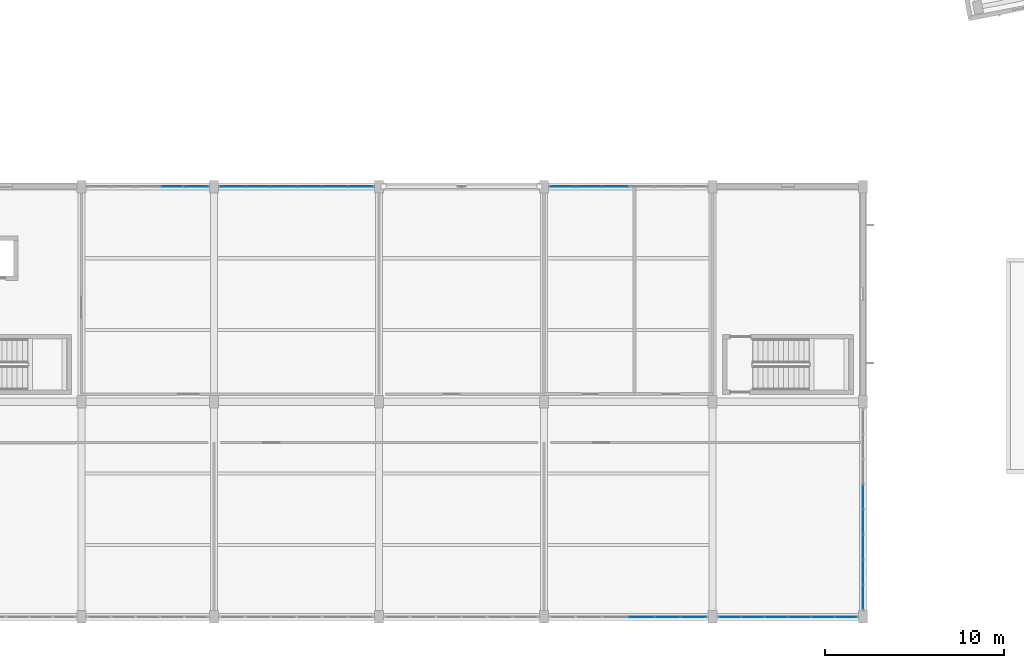
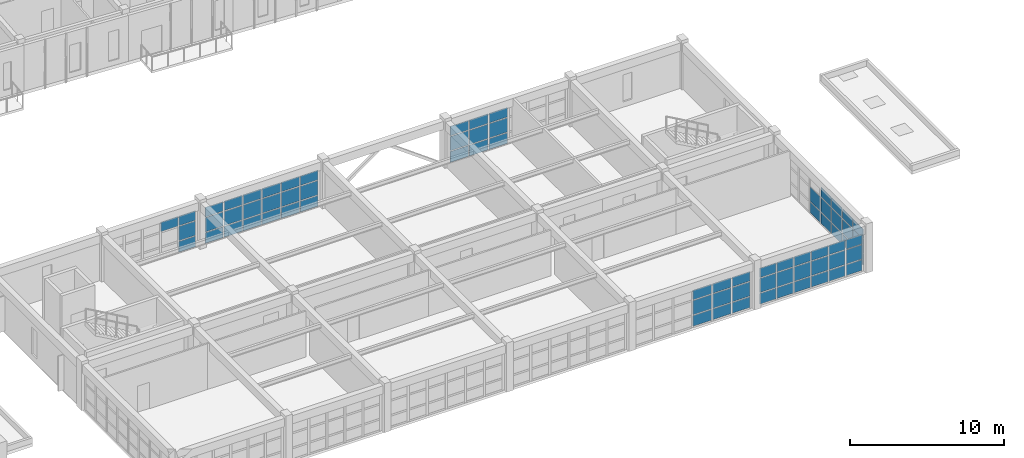
# One storey, part 70 of 150: 72 plates, 6 elements without a shape of their own.
"""IFC4 building model written with IfcOpenShell, lengths in metres."""

import ifcopenshell
import ifcopenshell.guid

model = None  # the IFC model being written
_history = None  # IfcOwnerHistory: only IFC2X3 demands one
_inside = {}  # id of a spatial element -> (the spatial element, [elements in it])
_under = {}  # id of a project, library or spatial element -> (it, [spatial elements below it])
_declared = {}  # id of a project -> (the project, [libraries it declares])
_typed = {}  # id of a type object -> (the type object, [elements of that type])
_made_of = {}  # id of a material, layer set ... -> (it, [elements and type objects made of it])


def new_model(schema):
    """Start an empty IFC model of exactly this schema.

    Asked for "IFC4X3", IfcOpenShell would pick the latest addendum, in which some entities
    have other attributes; the version numbers below select the first issue.
    IFC2X3 requires an IfcOwnerHistory on every rooted entity: one is made here for all.
    """
    global model, _history
    if schema == "IFC4X3":
        model = ifcopenshell.file(schema_version=(4, 3, 0, 0))
    else:
        model = ifcopenshell.file(schema=schema)
    _inside.clear()
    _under.clear()
    _declared.clear()
    _typed.clear()
    _made_of.clear()
    _history = None
    if model.schema == "IFC2X3":
        org = make("IfcOrganization", Name="unknown")
        user = make(
            "IfcPersonAndOrganization",
            ThePerson=make("IfcPerson", FamilyName="unknown"),
            TheOrganization=org,
        )
        app = make(
            "IfcApplication",
            ApplicationDeveloper=org,
            Version="unknown",
            ApplicationFullName="unknown",
            ApplicationIdentifier="unknown",
        )
        _history = make(
            "IfcOwnerHistory",
            OwningUser=user,
            OwningApplication=app,
            ChangeAction="ADDED",
            CreationDate=0,
        )
    return model


def make(cls, **values):
    """One entity of the class cls with the attributes given. An attribute that is None is left unset."""
    return model.create_entity(
        cls, **{name: value for name, value in values.items() if value is not None}
    )


def rooted(cls, **values):
    """An entity with a GlobalId (a new one), such as an element, a storey or a relation."""
    return make(cls, GlobalId=ifcopenshell.guid.new(), OwnerHistory=_history, **values)


def si_unit(unit_type, name, prefix=None):
    """IfcSIUnit, for example si_unit("LENGTHUNIT", "METRE", prefix="MILLI")."""
    return make("IfcSIUnit", UnitType=unit_type, Prefix=prefix, Name=name)


def assignment(units):
    """IfcUnitAssignment: the units of a project."""
    return None if units is None else make("IfcUnitAssignment", Units=units)


def point(xyz):
    """IfcCartesianPoint."""
    return None if xyz is None else make("IfcCartesianPoint", Coordinates=xyz)


def direction(xyz):
    """IfcDirection."""
    return None if xyz is None else make("IfcDirection", DirectionRatios=xyz)


def frame(location, z_axis=None, x_axis=None):
    """IfcAxis2Placement3D, a coordinate frame: its origin and axes. An axis left out is left unset."""
    return make(
        "IfcAxis2Placement3D",
        Location=point(location),
        Axis=direction(z_axis),
        RefDirection=direction(x_axis),
    )


def frame_2d(location, x_axis=None):
    """IfcAxis2Placement2D, a coordinate frame in the plane: its origin and x axis."""
    return make(
        "IfcAxis2Placement2D", Location=point(location), RefDirection=direction(x_axis)
    )


def origin():
    """The frame at (0, 0, 0) with its axes left unset."""
    return frame((0.0, 0.0, 0.0))


def origin_2d():
    """The frame at (0, 0) in the plane with its x axis left unset."""
    return frame_2d((0.0, 0.0))


def place(relative_to, where):
    """IfcLocalPlacement: puts the frame where relative to a parent placement (None: the world)."""
    return make(
        "IfcLocalPlacement", PlacementRelTo=relative_to, RelativePlacement=where
    )


def context(
    kind, dimensions, precision=None, world=None, true_north=None, identifier=None
):
    """IfcGeometricRepresentationContext, for example the 3D "Model" context."""
    return make(
        "IfcGeometricRepresentationContext",
        ContextIdentifier=identifier,
        ContextType=kind,
        CoordinateSpaceDimension=dimensions,
        Precision=precision,
        WorldCoordinateSystem=world,
        TrueNorth=true_north,
    )


def subcontext(parent, identifier, kind, view, scale=None):
    """IfcGeometricRepresentationSubContext, for example "Body" below "Model"."""
    return make(
        "IfcGeometricRepresentationSubContext",
        ContextIdentifier=identifier,
        ContextType=kind,
        ParentContext=parent,
        TargetScale=scale,
        TargetView=view,
    )


def project(units=None, contexts=None):
    """IfcProject with its units and contexts."""
    return rooted(
        "IfcProject",
        Name="project",
        RepresentationContexts=contexts,
        UnitsInContext=assignment(units),
    )


def spatial(cls, under=None, at=None, **own):
    """A site, building, storey or space (cls), placed at a placement, below another one or the project."""
    s = rooted(cls, ObjectPlacement=at, **own)
    if under is not None:
        _under.setdefault(under.id(), (under, []))[1].append(s)
    return s


def profile(cls, at=None, kind="AREA", **sizes):
    """A parametric profile (cls). Its sizes go by their IFC names, for example OverallWidth=200.0."""
    return make(cls, ProfileType=kind, Position=at, **sizes)


def rectangle(**sizes):
    """IfcRectangleProfileDef."""
    return profile("IfcRectangleProfileDef", **sizes)


def extrude(swept, where, along, depth):
    """IfcExtrudedAreaSolid: the profile swept, set in the frame where, extruded along a direction by depth."""
    return make(
        "IfcExtrudedAreaSolid",
        SweptArea=swept,
        Position=where,
        ExtrudedDirection=direction(along),
        Depth=depth,
    )


def shape(context_of_items, identifier, shape_type, items):
    """IfcShapeRepresentation: the items that make up one representation, for example the "Body"."""
    return make(
        "IfcShapeRepresentation",
        ContextOfItems=context_of_items,
        RepresentationIdentifier=identifier,
        RepresentationType=shape_type,
        Items=items,
    )


def material(Name=None, Category=None):
    """IfcMaterial."""
    return make("IfcMaterial", Name=Name, Category=Category)


def layer(
    of_material, thickness, ventilated=None, Name=None, Category=None, Priority=None
):
    """IfcMaterialLayer: one layer of a wall or slab, of a material (None: an air gap)."""
    return make(
        "IfcMaterialLayer",
        Material=of_material,
        LayerThickness=thickness,
        IsVentilated=ventilated,
        Name=Name,
        Category=Category,
        Priority=Priority,
    )


def layer_set(layers, Name=None):
    """IfcMaterialLayerSet."""
    return make("IfcMaterialLayerSet", MaterialLayers=layers, LayerSetName=Name)


def made_of(thing, what):
    """Note that an element or type object is made of a material, layer set ...; save() writes the relation."""
    if what is not None:
        _made_of.setdefault(what.id(), (what, []))[1].append(thing)
    return thing


def type_object(cls, material=None, **own):
    """A type object (cls), such as IfcWallType, which elements share."""
    return made_of(rooted(cls, **own), material)


def element(
    cls,
    number,
    at=None,
    inside=None,
    cuts=None,
    type_object=None,
    material=None,
    context=None,
    identifier="Body",
    shape_type=None,
    held_by="IfcProductDefinitionShape",
    body=None,
    shapes=None,
    **own,
):
    """One element of the class cls, such as IfcWall. Its Tag is "e" and its number.

    at: its placement. inside: the storey or other place that contains it. cuts: it is an
    opening in that element (IfcRelVoidsElement). A single representation is given by context,
    identifier, shape_type and body (its items); several are given by shapes. held_by: the class
    of the entity that holds the representations. save() writes the other relations.
    """
    e = rooted(cls, Tag="e%d" % number, ObjectPlacement=at, **own)
    if body is not None:
        shapes = [shape(context, identifier, shape_type, body)]
    if shapes is not None:
        e.Representation = make(held_by, Representations=shapes)
    if inside is not None:
        _inside.setdefault(inside.id(), (inside, []))[1].append(e)
    if cuts is not None:
        rooted(
            "IfcRelVoidsElement", RelatingBuildingElement=cuts, RelatedOpeningElement=e
        )
    if type_object is not None:
        _typed.setdefault(type_object.id(), (type_object, []))[1].append(e)
    return made_of(e, material)


def aggregate(whole, parts):
    """IfcRelAggregates: a whole, such as a stair, and the parts it consists of."""
    return rooted("IfcRelAggregates", RelatingObject=whole, RelatedObjects=parts)


def save(model, path):
    """Write the relations noted so far, then the file.

    IfcRelAggregates (storeys below a building ...), IfcRelContainedInSpatialStructure (elements
    in a storey), IfcRelDefinesByType, IfcRelAssociatesMaterial and IfcRelDeclares: one each for
    every whole, place, type object, material and project.
    """
    for whole, parts in _under.values():
        aggregate(whole, parts)
    for where, things in _inside.values():
        rooted(
            "IfcRelContainedInSpatialStructure",
            RelatedElements=things,
            RelatingStructure=where,
        )
    for kind, things in _typed.values():
        rooted("IfcRelDefinesByType", RelatedObjects=things, RelatingType=kind)
    for what, things in _made_of.values():
        rooted("IfcRelAssociatesMaterial", RelatedObjects=things, RelatingMaterial=what)
    for by, libraries in _declared.values():
        rooted("IfcRelDeclares", RelatingContext=by, RelatedDefinitions=libraries)
    model.write(path)


model = new_model("IFC4")

# Units and contexts
model_context = context("Model", 3, precision=1e-05, world=origin(), true_north=direction((0.0, 1.0)))
body_context = subcontext(model_context, "Body", "Model", "MODEL_VIEW")
ifc_project = project(units=[si_unit("LENGTHUNIT", "METRE"), si_unit("AREAUNIT", "SQUARE_METRE"), si_unit("VOLUMEUNIT", "CUBIC_METRE"), si_unit("PLANEANGLEUNIT", "RADIAN"), si_unit("MASSUNIT", "GRAM", prefix="KILO")], contexts=[model_context])

# Site, building, storey
site_placement = place(None, origin())
site = spatial("IfcSite", under=ifc_project, at=site_placement, CompositionType="ELEMENT")
building_placement = place(site_placement, origin())
building = spatial("IfcBuilding", under=site, at=building_placement, Name="Kestramere Prow Commons", CompositionType="ELEMENT")
storey_placement = place(building_placement, frame((0.0, 0.0, 4.5)))
storey = spatial("IfcBuildingStorey", under=building, at=storey_placement, Name="L01", CompositionType="ELEMENT", Elevation=4.5)

# Curtain wall, plates
ifc_material_1 = material(Name="Anodised Aluminium and Low-E Glass", Category="aluminium")
curtain_wall_type_1 = type_object("IfcCurtainWallType", Name="CW-24 Glazed Curtain Wall 6800x2990", PredefinedType="USERDEFINED", material=ifc_material_1)
curtain_wall_1_placement = place(storey_placement, origin())
curtain_wall_1 = element("IfcCurtainWall", 1, at=curtain_wall_1_placement, inside=storey, type_object=curtain_wall_type_1, Name="Market L01 Courtyard Shopfront 2", ObjectType="GLAZED CURTAIN WALL", PredefinedType="USERDEFINED")
ifc_material_2 = material(Name="Low-E Laminated Double Glazing", Category="glass")
ifc_layer = layer(ifc_material_2, 0.028076171875)
ifc_layer_set = layer_set([ifc_layer], Name="Low-E Laminated Double Glazing")
plate_type = type_object("IfcPlateType", Name="CW-PNL-28", PredefinedType="CURTAIN_PANEL", material=ifc_layer_set)
plate_1_placement = place(storey_placement, frame((73.4599609375, 24.0, 2.172607421875), z_axis=(0.0, 0.0, 1.0), x_axis=(1.0, 0.0, 0.0)))
plate_1 = element("IfcPlate", 2, at=plate_1_placement, type_object=plate_type, Name="CW-24 panel 4.3", PredefinedType="CURTAIN_PANEL", context=body_context, shape_type="SweptSolid", body=[
    extrude(rectangle(XDim=1.294921875, YDim=0.028076171875, at=origin_2d()), origin(), (0.0, 0.0, 1.0), 0.75244140625),
])
plate_2_placement = place(storey_placement, frame((74.8037109375, 24.0, 0.06494140625), z_axis=(0.0, 0.0, 1.0), x_axis=(1.0, 0.0, 0.0)))
plate_2 = element("IfcPlate", 3, at=plate_2_placement, type_object=plate_type, Name="CW-24 panel 5.1", PredefinedType="CURTAIN_PANEL", context=body_context, shape_type="SweptSolid", body=[
    extrude(rectangle(XDim=1.262451171875, YDim=0.028076171875, at=origin_2d()), origin(), (0.0, 0.0, 1.0), 0.8525390625),
])
plate_3_placement = place(storey_placement, frame((74.8037109375, 24.0, 0.982421875), z_axis=(0.0, 0.0, 1.0), x_axis=(1.0, 0.0, 0.0)))
plate_3 = element("IfcPlate", 4, at=plate_3_placement, type_object=plate_type, Name="CW-24 panel 5.2", PredefinedType="CURTAIN_PANEL", context=body_context, shape_type="SweptSolid", body=[
    extrude(rectangle(XDim=1.262451171875, YDim=0.028076171875, at=origin_2d()), origin(), (0.0, 0.0, 1.0), 1.125),
])
plate_4_placement = place(storey_placement, frame((74.8037109375, 24.0, 2.172607421875), z_axis=(0.0, 0.0, 1.0), x_axis=(1.0, 0.0, 0.0)))
plate_4 = element("IfcPlate", 5, at=plate_4_placement, type_object=plate_type, Name="CW-24 panel 5.3", PredefinedType="CURTAIN_PANEL", context=body_context, shape_type="SweptSolid", body=[
    extrude(rectangle(XDim=1.262451171875, YDim=0.028076171875, at=origin_2d()), origin(), (0.0, 0.0, 1.0), 0.75244140625),
])
aggregate(curtain_wall_1, [plate_1, plate_2, plate_3, plate_4])

curtain_wall_type_2 = type_object("IfcCurtainWallType", Name="CW-25 Glazed Curtain Wall 8600x2990", PredefinedType="USERDEFINED", material=ifc_material_1)
curtain_wall_2_placement = place(storey_placement, origin())
curtain_wall_2 = element("IfcCurtainWall", 6, at=curtain_wall_2_placement, inside=storey, type_object=curtain_wall_type_2, Name="Market L01 Courtyard Shopfront 3", ObjectType="GLAZED CURTAIN WALL", PredefinedType="USERDEFINED")
plate_5_placement = place(storey_placement, frame((76.8330078125, 24.0, 0.06494140625), z_axis=(0.0, 0.0, 1.0), x_axis=(1.0, 0.0, 0.0)))
plate_5 = element("IfcPlate", 7, at=plate_5_placement, type_object=plate_type, Name="CW-25 panel 1.1", PredefinedType="CURTAIN_PANEL", context=body_context, shape_type="SweptSolid", body=[
    extrude(rectangle(XDim=1.3359375, YDim=0.028076171875, at=origin_2d()), origin(), (0.0, 0.0, 1.0), 0.8525390625),
])
plate_6_placement = place(storey_placement, frame((76.8330078125, 24.0, 0.982421875), z_axis=(0.0, 0.0, 1.0), x_axis=(1.0, 0.0, 0.0)))
plate_6 = element("IfcPlate", 8, at=plate_6_placement, type_object=plate_type, Name="CW-25 panel 1.2", PredefinedType="CURTAIN_PANEL", context=body_context, shape_type="SweptSolid", body=[
    extrude(rectangle(XDim=1.3359375, YDim=0.028076171875, at=origin_2d()), origin(), (0.0, 0.0, 1.0), 1.125),
])
plate_7_placement = place(storey_placement, frame((76.8330078125, 24.0, 2.172607421875), z_axis=(0.0, 0.0, 1.0), x_axis=(1.0, 0.0, 0.0)))
plate_7 = element("IfcPlate", 9, at=plate_7_placement, type_object=plate_type, Name="CW-25 panel 1.3", PredefinedType="CURTAIN_PANEL", context=body_context, shape_type="SweptSolid", body=[
    extrude(rectangle(XDim=1.3359375, YDim=0.028076171875, at=origin_2d()), origin(), (0.0, 0.0, 1.0), 0.75244140625),
])
plate_8_placement = place(storey_placement, frame((78.25, 24.0, 0.06494140625), z_axis=(0.0, 0.0, 1.0), x_axis=(1.0, 0.0, 0.0)))
plate_8 = element("IfcPlate", 10, at=plate_8_placement, type_object=plate_type, Name="CW-25 panel 2.1", PredefinedType="CURTAIN_PANEL", context=body_context, shape_type="SweptSolid", body=[
    extrude(rectangle(XDim=1.368408203125, YDim=0.028076171875, at=origin_2d()), origin(), (0.0, 0.0, 1.0), 0.8525390625),
])
plate_9_placement = place(storey_placement, frame((78.25, 24.0, 0.982421875), z_axis=(0.0, 0.0, 1.0), x_axis=(1.0, 0.0, 0.0)))
plate_9 = element("IfcPlate", 11, at=plate_9_placement, type_object=plate_type, Name="CW-25 panel 2.2", PredefinedType="CURTAIN_PANEL", context=body_context, shape_type="SweptSolid", body=[
    extrude(rectangle(XDim=1.368408203125, YDim=0.028076171875, at=origin_2d()), origin(), (0.0, 0.0, 1.0), 1.125),
])
plate_10_placement = place(storey_placement, frame((78.25, 24.0, 2.172607421875), z_axis=(0.0, 0.0, 1.0), x_axis=(1.0, 0.0, 0.0)))
plate_10 = element("IfcPlate", 12, at=plate_10_placement, type_object=plate_type, Name="CW-25 panel 2.3", PredefinedType="CURTAIN_PANEL", context=body_context, shape_type="SweptSolid", body=[
    extrude(rectangle(XDim=1.368408203125, YDim=0.028076171875, at=origin_2d()), origin(), (0.0, 0.0, 1.0), 0.75244140625),
])
plate_11_placement = place(storey_placement, frame((79.683349609375, 24.0, 0.06494140625), z_axis=(0.0, 0.0, 1.0), x_axis=(1.0, 0.0, 0.0)))
plate_11 = element("IfcPlate", 13, at=plate_11_placement, type_object=plate_type, Name="CW-25 panel 3.1", PredefinedType="CURTAIN_PANEL", context=body_context, shape_type="SweptSolid", body=[
    extrude(rectangle(XDim=1.368408203125, YDim=0.028076171875, at=origin_2d()), origin(), (0.0, 0.0, 1.0), 0.8525390625),
])
plate_12_placement = place(storey_placement, frame((79.683349609375, 24.0, 0.982421875), z_axis=(0.0, 0.0, 1.0), x_axis=(1.0, 0.0, 0.0)))
plate_12 = element("IfcPlate", 14, at=plate_12_placement, type_object=plate_type, Name="CW-25 panel 3.2", PredefinedType="CURTAIN_PANEL", context=body_context, shape_type="SweptSolid", body=[
    extrude(rectangle(XDim=1.368408203125, YDim=0.028076171875, at=origin_2d()), origin(), (0.0, 0.0, 1.0), 1.125),
])
plate_13_placement = place(storey_placement, frame((79.683349609375, 24.0, 2.172607421875), z_axis=(0.0, 0.0, 1.0), x_axis=(1.0, 0.0, 0.0)))
plate_13 = element("IfcPlate", 15, at=plate_13_placement, type_object=plate_type, Name="CW-25 panel 3.3", PredefinedType="CURTAIN_PANEL", context=body_context, shape_type="SweptSolid", body=[
    extrude(rectangle(XDim=1.368408203125, YDim=0.028076171875, at=origin_2d()), origin(), (0.0, 0.0, 1.0), 0.75244140625),
])
plate_14_placement = place(storey_placement, frame((81.11669921875, 24.0, 0.06494140625), z_axis=(0.0, 0.0, 1.0), x_axis=(1.0, 0.0, 0.0)))
plate_14 = element("IfcPlate", 16, at=plate_14_placement, type_object=plate_type, Name="CW-25 panel 4.1", PredefinedType="CURTAIN_PANEL", context=body_context, shape_type="SweptSolid", body=[
    extrude(rectangle(XDim=1.368408203125, YDim=0.028076171875, at=origin_2d()), origin(), (0.0, 0.0, 1.0), 0.8525390625),
])
plate_15_placement = place(storey_placement, frame((81.11669921875, 24.0, 0.982421875), z_axis=(0.0, 0.0, 1.0), x_axis=(1.0, 0.0, 0.0)))
plate_15 = element("IfcPlate", 17, at=plate_15_placement, type_object=plate_type, Name="CW-25 panel 4.2", PredefinedType="CURTAIN_PANEL", context=body_context, shape_type="SweptSolid", body=[
    extrude(rectangle(XDim=1.368408203125, YDim=0.028076171875, at=origin_2d()), origin(), (0.0, 0.0, 1.0), 1.125),
])
plate_16_placement = place(storey_placement, frame((81.11669921875, 24.0, 2.172607421875), z_axis=(0.0, 0.0, 1.0), x_axis=(1.0, 0.0, 0.0)))
plate_16 = element("IfcPlate", 18, at=plate_16_placement, type_object=plate_type, Name="CW-25 panel 4.3", PredefinedType="CURTAIN_PANEL", context=body_context, shape_type="SweptSolid", body=[
    extrude(rectangle(XDim=1.368408203125, YDim=0.028076171875, at=origin_2d()), origin(), (0.0, 0.0, 1.0), 0.75244140625),
])
plate_17_placement = place(storey_placement, frame((82.550048828125, 24.0, 0.06494140625), z_axis=(0.0, 0.0, 1.0), x_axis=(1.0, 0.0, 0.0)))
plate_17 = element("IfcPlate", 19, at=plate_17_placement, type_object=plate_type, Name="CW-25 panel 5.1", PredefinedType="CURTAIN_PANEL", context=body_context, shape_type="SweptSolid", body=[
    extrude(rectangle(XDim=1.368408203125, YDim=0.028076171875, at=origin_2d()), origin(), (0.0, 0.0, 1.0), 0.8525390625),
])
plate_18_placement = place(storey_placement, frame((82.550048828125, 24.0, 0.982421875), z_axis=(0.0, 0.0, 1.0), x_axis=(1.0, 0.0, 0.0)))
plate_18 = element("IfcPlate", 20, at=plate_18_placement, type_object=plate_type, Name="CW-25 panel 5.2", PredefinedType="CURTAIN_PANEL", context=body_context, shape_type="SweptSolid", body=[
    extrude(rectangle(XDim=1.368408203125, YDim=0.028076171875, at=origin_2d()), origin(), (0.0, 0.0, 1.0), 1.125),
])
plate_19_placement = place(storey_placement, frame((82.550048828125, 24.0, 2.172607421875), z_axis=(0.0, 0.0, 1.0), x_axis=(1.0, 0.0, 0.0)))
plate_19 = element("IfcPlate", 21, at=plate_19_placement, type_object=plate_type, Name="CW-25 panel 5.3", PredefinedType="CURTAIN_PANEL", context=body_context, shape_type="SweptSolid", body=[
    extrude(rectangle(XDim=1.368408203125, YDim=0.028076171875, at=origin_2d()), origin(), (0.0, 0.0, 1.0), 0.75244140625),
])
plate_20_placement = place(storey_placement, frame((83.967041015625, 24.0, 0.06494140625), z_axis=(0.0, 0.0, 1.0), x_axis=(1.0, 0.0, 0.0)))
plate_20 = element("IfcPlate", 22, at=plate_20_placement, type_object=plate_type, Name="CW-25 panel 6.1", PredefinedType="CURTAIN_PANEL", context=body_context, shape_type="SweptSolid", body=[
    extrude(rectangle(XDim=1.3359375, YDim=0.028076171875, at=origin_2d()), origin(), (0.0, 0.0, 1.0), 0.8525390625),
])
plate_21_placement = place(storey_placement, frame((83.967041015625, 24.0, 0.982421875), z_axis=(0.0, 0.0, 1.0), x_axis=(1.0, 0.0, 0.0)))
plate_21 = element("IfcPlate", 23, at=plate_21_placement, type_object=plate_type, Name="CW-25 panel 6.2", PredefinedType="CURTAIN_PANEL", context=body_context, shape_type="SweptSolid", body=[
    extrude(rectangle(XDim=1.3359375, YDim=0.028076171875, at=origin_2d()), origin(), (0.0, 0.0, 1.0), 1.125),
])
plate_22_placement = place(storey_placement, frame((83.967041015625, 24.0, 2.172607421875), z_axis=(0.0, 0.0, 1.0), x_axis=(1.0, 0.0, 0.0)))
plate_22 = element("IfcPlate", 24, at=plate_22_placement, type_object=plate_type, Name="CW-25 panel 6.3", PredefinedType="CURTAIN_PANEL", context=body_context, shape_type="SweptSolid", body=[
    extrude(rectangle(XDim=1.3359375, YDim=0.028076171875, at=origin_2d()), origin(), (0.0, 0.0, 1.0), 0.75244140625),
])
aggregate(curtain_wall_2, [plate_5, plate_6, plate_7, plate_8, plate_9, plate_10, plate_11, plate_12, plate_13, plate_14, plate_15, plate_16, plate_17, plate_18, plate_19, plate_20, plate_21, plate_22])

curtain_wall_type_3 = type_object("IfcCurtainWallType", Name="CW-26 Glazed Curtain Wall 8800x2990", PredefinedType="USERDEFINED", material=ifc_material_1)
curtain_wall_3_placement = place(storey_placement, origin())
curtain_wall_3 = element("IfcCurtainWall", 25, at=curtain_wall_3_placement, inside=storey, type_object=curtain_wall_type_3, Name="Market L01 South Shopfront 5", ObjectType="GLAZED CURTAIN WALL", PredefinedType="USERDEFINED")
plate_23_placement = place(storey_placement, frame((102.550537109375, 0.0, 0.06494140625), z_axis=(0.0, 0.0, 1.0), x_axis=(-1.0, 0.0, 0.0)))
plate_23 = element("IfcPlate", 26, at=plate_23_placement, type_object=plate_type, Name="CW-26 panel 1.1", PredefinedType="CURTAIN_PANEL", context=body_context, shape_type="SweptSolid", body=[
    extrude(rectangle(XDim=1.369140625, YDim=0.028076171875, at=origin_2d()), origin(), (0.0, 0.0, 1.0), 0.8525390625),
])
plate_24_placement = place(storey_placement, frame((102.550537109375, 0.0, 0.982421875), z_axis=(0.0, 0.0, 1.0), x_axis=(-1.0, 0.0, 0.0)))
plate_24 = element("IfcPlate", 27, at=plate_24_placement, type_object=plate_type, Name="CW-26 panel 1.2", PredefinedType="CURTAIN_PANEL", context=body_context, shape_type="SweptSolid", body=[
    extrude(rectangle(XDim=1.369140625, YDim=0.028076171875, at=origin_2d()), origin(), (0.0, 0.0, 1.0), 1.125),
])
plate_25_placement = place(storey_placement, frame((102.550537109375, 0.0, 2.172607421875), z_axis=(0.0, 0.0, 1.0), x_axis=(-1.0, 0.0, 0.0)))
plate_25 = element("IfcPlate", 28, at=plate_25_placement, type_object=plate_type, Name="CW-26 panel 1.3", PredefinedType="CURTAIN_PANEL", context=body_context, shape_type="SweptSolid", body=[
    extrude(rectangle(XDim=1.369140625, YDim=0.028076171875, at=origin_2d()), origin(), (0.0, 0.0, 1.0), 0.75244140625),
])
plate_26_placement = place(storey_placement, frame((101.10009765625, 0.0, 0.06494140625), z_axis=(0.0, 0.0, 1.0), x_axis=(-1.0, 0.0, 0.0)))
plate_26 = element("IfcPlate", 29, at=plate_26_placement, type_object=plate_type, Name="CW-26 panel 2.1", PredefinedType="CURTAIN_PANEL", context=body_context, shape_type="SweptSolid", body=[
    extrude(rectangle(XDim=1.401611328125, YDim=0.028076171875, at=origin_2d()), origin(), (0.0, 0.0, 1.0), 0.8525390625),
])
plate_27_placement = place(storey_placement, frame((101.10009765625, 0.0, 0.982421875), z_axis=(0.0, 0.0, 1.0), x_axis=(-1.0, 0.0, 0.0)))
plate_27 = element("IfcPlate", 30, at=plate_27_placement, type_object=plate_type, Name="CW-26 panel 2.2", PredefinedType="CURTAIN_PANEL", context=body_context, shape_type="SweptSolid", body=[
    extrude(rectangle(XDim=1.401611328125, YDim=0.028076171875, at=origin_2d()), origin(), (0.0, 0.0, 1.0), 1.125),
])
plate_28_placement = place(storey_placement, frame((101.10009765625, 0.0, 2.172607421875), z_axis=(0.0, 0.0, 1.0), x_axis=(-1.0, 0.0, 0.0)))
plate_28 = element("IfcPlate", 31, at=plate_28_placement, type_object=plate_type, Name="CW-26 panel 2.3", PredefinedType="CURTAIN_PANEL", context=body_context, shape_type="SweptSolid", body=[
    extrude(rectangle(XDim=1.401611328125, YDim=0.028076171875, at=origin_2d()), origin(), (0.0, 0.0, 1.0), 0.75244140625),
])
plate_29_placement = place(storey_placement, frame((99.63330078125, 0.0, 0.06494140625), z_axis=(0.0, 0.0, 1.0), x_axis=(-1.0, 0.0, 0.0)))
plate_29 = element("IfcPlate", 32, at=plate_29_placement, type_object=plate_type, Name="CW-26 panel 3.1", PredefinedType="CURTAIN_PANEL", context=body_context, shape_type="SweptSolid", body=[
    extrude(rectangle(XDim=1.401611328125, YDim=0.028076171875, at=origin_2d()), origin(), (0.0, 0.0, 1.0), 0.8525390625),
])
plate_30_placement = place(storey_placement, frame((99.63330078125, 0.0, 0.982421875), z_axis=(0.0, 0.0, 1.0), x_axis=(-1.0, 0.0, 0.0)))
plate_30 = element("IfcPlate", 33, at=plate_30_placement, type_object=plate_type, Name="CW-26 panel 3.2", PredefinedType="CURTAIN_PANEL", context=body_context, shape_type="SweptSolid", body=[
    extrude(rectangle(XDim=1.401611328125, YDim=0.028076171875, at=origin_2d()), origin(), (0.0, 0.0, 1.0), 1.125),
])
plate_31_placement = place(storey_placement, frame((99.63330078125, 0.0, 2.172607421875), z_axis=(0.0, 0.0, 1.0), x_axis=(-1.0, 0.0, 0.0)))
plate_31 = element("IfcPlate", 34, at=plate_31_placement, type_object=plate_type, Name="CW-26 panel 3.3", PredefinedType="CURTAIN_PANEL", context=body_context, shape_type="SweptSolid", body=[
    extrude(rectangle(XDim=1.401611328125, YDim=0.028076171875, at=origin_2d()), origin(), (0.0, 0.0, 1.0), 0.75244140625),
])
aggregate(curtain_wall_3, [plate_23, plate_24, plate_25, plate_26, plate_27, plate_28, plate_29, plate_30, plate_31])

curtain_wall_4_placement = place(storey_placement, origin())
curtain_wall_4 = element("IfcCurtainWall", 35, at=curtain_wall_4_placement, inside=storey, type_object=curtain_wall_type_3, Name="Market L01 Courtyard Shopfront 5", ObjectType="GLAZED CURTAIN WALL", PredefinedType="USERDEFINED")
plate_32_placement = place(storey_placement, frame((95.24951171875, 24.0, 0.06494140625), z_axis=(0.0, 0.0, 1.0), x_axis=(1.0, 0.0, 0.0)))
plate_32 = element("IfcPlate", 36, at=plate_32_placement, type_object=plate_type, Name="CW-26 panel 1.1", PredefinedType="CURTAIN_PANEL", context=body_context, shape_type="SweptSolid", body=[
    extrude(rectangle(XDim=1.369140625, YDim=0.028076171875, at=origin_2d()), origin(), (0.0, 0.0, 1.0), 0.8525390625),
])
plate_33_placement = place(storey_placement, frame((95.24951171875, 24.0, 0.982421875), z_axis=(0.0, 0.0, 1.0), x_axis=(1.0, 0.0, 0.0)))
plate_33 = element("IfcPlate", 37, at=plate_33_placement, type_object=plate_type, Name="CW-26 panel 1.2", PredefinedType="CURTAIN_PANEL", context=body_context, shape_type="SweptSolid", body=[
    extrude(rectangle(XDim=1.369140625, YDim=0.028076171875, at=origin_2d()), origin(), (0.0, 0.0, 1.0), 1.125),
])
plate_34_placement = place(storey_placement, frame((95.24951171875, 24.0, 2.172607421875), z_axis=(0.0, 0.0, 1.0), x_axis=(1.0, 0.0, 0.0)))
plate_34 = element("IfcPlate", 38, at=plate_34_placement, type_object=plate_type, Name="CW-26 panel 1.3", PredefinedType="CURTAIN_PANEL", context=body_context, shape_type="SweptSolid", body=[
    extrude(rectangle(XDim=1.369140625, YDim=0.028076171875, at=origin_2d()), origin(), (0.0, 0.0, 1.0), 0.75244140625),
])
plate_35_placement = place(storey_placement, frame((96.699951171875, 24.0, 0.06494140625), z_axis=(0.0, 0.0, 1.0), x_axis=(1.0, 0.0, 0.0)))
plate_35 = element("IfcPlate", 39, at=plate_35_placement, type_object=plate_type, Name="CW-26 panel 2.1", PredefinedType="CURTAIN_PANEL", context=body_context, shape_type="SweptSolid", body=[
    extrude(rectangle(XDim=1.401611328125, YDim=0.028076171875, at=origin_2d()), origin(), (0.0, 0.0, 1.0), 0.8525390625),
])
plate_36_placement = place(storey_placement, frame((96.699951171875, 24.0, 0.982421875), z_axis=(0.0, 0.0, 1.0), x_axis=(1.0, 0.0, 0.0)))
plate_36 = element("IfcPlate", 40, at=plate_36_placement, type_object=plate_type, Name="CW-26 panel 2.2", PredefinedType="CURTAIN_PANEL", context=body_context, shape_type="SweptSolid", body=[
    extrude(rectangle(XDim=1.401611328125, YDim=0.028076171875, at=origin_2d()), origin(), (0.0, 0.0, 1.0), 1.125),
])
plate_37_placement = place(storey_placement, frame((96.699951171875, 24.0, 2.172607421875), z_axis=(0.0, 0.0, 1.0), x_axis=(1.0, 0.0, 0.0)))
plate_37 = element("IfcPlate", 41, at=plate_37_placement, type_object=plate_type, Name="CW-26 panel 2.3", PredefinedType="CURTAIN_PANEL", context=body_context, shape_type="SweptSolid", body=[
    extrude(rectangle(XDim=1.401611328125, YDim=0.028076171875, at=origin_2d()), origin(), (0.0, 0.0, 1.0), 0.75244140625),
])
plate_38_placement = place(storey_placement, frame((98.166748046875, 24.0, 0.06494140625), z_axis=(0.0, 0.0, 1.0), x_axis=(1.0, 0.0, 0.0)))
plate_38 = element("IfcPlate", 42, at=plate_38_placement, type_object=plate_type, Name="CW-26 panel 3.1", PredefinedType="CURTAIN_PANEL", context=body_context, shape_type="SweptSolid", body=[
    extrude(rectangle(XDim=1.401611328125, YDim=0.028076171875, at=origin_2d()), origin(), (0.0, 0.0, 1.0), 0.8525390625),
])
plate_39_placement = place(storey_placement, frame((98.166748046875, 24.0, 0.982421875), z_axis=(0.0, 0.0, 1.0), x_axis=(1.0, 0.0, 0.0)))
plate_39 = element("IfcPlate", 43, at=plate_39_placement, type_object=plate_type, Name="CW-26 panel 3.2", PredefinedType="CURTAIN_PANEL", context=body_context, shape_type="SweptSolid", body=[
    extrude(rectangle(XDim=1.401611328125, YDim=0.028076171875, at=origin_2d()), origin(), (0.0, 0.0, 1.0), 1.125),
])
plate_40_placement = place(storey_placement, frame((98.166748046875, 24.0, 2.172607421875), z_axis=(0.0, 0.0, 1.0), x_axis=(1.0, 0.0, 0.0)))
plate_40 = element("IfcPlate", 44, at=plate_40_placement, type_object=plate_type, Name="CW-26 panel 3.3", PredefinedType="CURTAIN_PANEL", context=body_context, shape_type="SweptSolid", body=[
    extrude(rectangle(XDim=1.401611328125, YDim=0.028076171875, at=origin_2d()), origin(), (0.0, 0.0, 1.0), 0.75244140625),
])
aggregate(curtain_wall_4, [plate_32, plate_33, plate_34, plate_35, plate_36, plate_37, plate_38, plate_39, plate_40])

curtain_wall_type_4 = type_object("IfcCurtainWallType", Name="CW-23 Glazed Curtain Wall 7800x2990", PredefinedType="USERDEFINED", material=ifc_material_1)
curtain_wall_5_placement = place(storey_placement, origin())
curtain_wall_5 = element("IfcCurtainWall", 45, at=curtain_wall_5_placement, inside=storey, type_object=curtain_wall_type_4, Name="Market L01 South Shopfront 6", ObjectType="GLAZED CURTAIN WALL", PredefinedType="USERDEFINED")
plate_41_placement = place(storey_placement, frame((111.03369140625, 0.0, 0.06494140625), z_axis=(0.0, 0.0, 1.0), x_axis=(-1.0, 0.0, 0.0)))
plate_41 = element("IfcPlate", 46, at=plate_41_placement, type_object=plate_type, Name="CW-23 panel 1.1", PredefinedType="CURTAIN_PANEL", context=body_context, shape_type="SweptSolid", body=[
    extrude(rectangle(XDim=1.202392578125, YDim=0.028076171875, at=origin_2d()), origin(), (0.0, 0.0, 1.0), 0.8525390625),
])
plate_42_placement = place(storey_placement, frame((111.03369140625, 0.0, 0.982421875), z_axis=(0.0, 0.0, 1.0), x_axis=(-1.0, 0.0, 0.0)))
plate_42 = element("IfcPlate", 47, at=plate_42_placement, type_object=plate_type, Name="CW-23 panel 1.2", PredefinedType="CURTAIN_PANEL", context=body_context, shape_type="SweptSolid", body=[
    extrude(rectangle(XDim=1.202392578125, YDim=0.028076171875, at=origin_2d()), origin(), (0.0, 0.0, 1.0), 1.125),
])
plate_43_placement = place(storey_placement, frame((111.03369140625, 0.0, 2.172607421875), z_axis=(0.0, 0.0, 1.0), x_axis=(-1.0, 0.0, 0.0)))
plate_43 = element("IfcPlate", 48, at=plate_43_placement, type_object=plate_type, Name="CW-23 panel 1.3", PredefinedType="CURTAIN_PANEL", context=body_context, shape_type="SweptSolid", body=[
    extrude(rectangle(XDim=1.202392578125, YDim=0.028076171875, at=origin_2d()), origin(), (0.0, 0.0, 1.0), 0.75244140625),
])
plate_44_placement = place(storey_placement, frame((109.75, 0.0, 0.06494140625), z_axis=(0.0, 0.0, 1.0), x_axis=(-1.0, 0.0, 0.0)))
plate_44 = element("IfcPlate", 49, at=plate_44_placement, type_object=plate_type, Name="CW-23 panel 2.1", PredefinedType="CURTAIN_PANEL", context=body_context, shape_type="SweptSolid", body=[
    extrude(rectangle(XDim=1.235107421875, YDim=0.028076171875, at=origin_2d()), origin(), (0.0, 0.0, 1.0), 0.8525390625),
])
plate_45_placement = place(storey_placement, frame((109.75, 0.0, 0.982421875), z_axis=(0.0, 0.0, 1.0), x_axis=(-1.0, 0.0, 0.0)))
plate_45 = element("IfcPlate", 50, at=plate_45_placement, type_object=plate_type, Name="CW-23 panel 2.2", PredefinedType="CURTAIN_PANEL", context=body_context, shape_type="SweptSolid", body=[
    extrude(rectangle(XDim=1.235107421875, YDim=0.028076171875, at=origin_2d()), origin(), (0.0, 0.0, 1.0), 1.125),
])
plate_46_placement = place(storey_placement, frame((109.75, 0.0, 2.172607421875), z_axis=(0.0, 0.0, 1.0), x_axis=(-1.0, 0.0, 0.0)))
plate_46 = element("IfcPlate", 51, at=plate_46_placement, type_object=plate_type, Name="CW-23 panel 2.3", PredefinedType="CURTAIN_PANEL", context=body_context, shape_type="SweptSolid", body=[
    extrude(rectangle(XDim=1.235107421875, YDim=0.028076171875, at=origin_2d()), origin(), (0.0, 0.0, 1.0), 0.75244140625),
])
plate_47_placement = place(storey_placement, frame((108.449951171875, 0.0, 0.06494140625), z_axis=(0.0, 0.0, 1.0), x_axis=(-1.0, 0.0, 0.0)))
plate_47 = element("IfcPlate", 52, at=plate_47_placement, type_object=plate_type, Name="CW-23 panel 3.1", PredefinedType="CURTAIN_PANEL", context=body_context, shape_type="SweptSolid", body=[
    extrude(rectangle(XDim=1.235107421875, YDim=0.028076171875, at=origin_2d()), origin(), (0.0, 0.0, 1.0), 0.8525390625),
])
plate_48_placement = place(storey_placement, frame((108.449951171875, 0.0, 0.982421875), z_axis=(0.0, 0.0, 1.0), x_axis=(-1.0, 0.0, 0.0)))
plate_48 = element("IfcPlate", 53, at=plate_48_placement, type_object=plate_type, Name="CW-23 panel 3.2", PredefinedType="CURTAIN_PANEL", context=body_context, shape_type="SweptSolid", body=[
    extrude(rectangle(XDim=1.235107421875, YDim=0.028076171875, at=origin_2d()), origin(), (0.0, 0.0, 1.0), 1.125),
])
plate_49_placement = place(storey_placement, frame((108.449951171875, 0.0, 2.172607421875), z_axis=(0.0, 0.0, 1.0), x_axis=(-1.0, 0.0, 0.0)))
plate_49 = element("IfcPlate", 54, at=plate_49_placement, type_object=plate_type, Name="CW-23 panel 3.3", PredefinedType="CURTAIN_PANEL", context=body_context, shape_type="SweptSolid", body=[
    extrude(rectangle(XDim=1.235107421875, YDim=0.028076171875, at=origin_2d()), origin(), (0.0, 0.0, 1.0), 0.75244140625),
])
plate_50_placement = place(storey_placement, frame((107.14990234375, 0.0, 0.06494140625), z_axis=(0.0, 0.0, 1.0), x_axis=(-1.0, 0.0, 0.0)))
plate_50 = element("IfcPlate", 55, at=plate_50_placement, type_object=plate_type, Name="CW-23 panel 4.1", PredefinedType="CURTAIN_PANEL", context=body_context, shape_type="SweptSolid", body=[
    extrude(rectangle(XDim=1.235107421875, YDim=0.028076171875, at=origin_2d()), origin(), (0.0, 0.0, 1.0), 0.8525390625),
])
plate_51_placement = place(storey_placement, frame((107.14990234375, 0.0, 0.982421875), z_axis=(0.0, 0.0, 1.0), x_axis=(-1.0, 0.0, 0.0)))
plate_51 = element("IfcPlate", 56, at=plate_51_placement, type_object=plate_type, Name="CW-23 panel 4.2", PredefinedType="CURTAIN_PANEL", context=body_context, shape_type="SweptSolid", body=[
    extrude(rectangle(XDim=1.235107421875, YDim=0.028076171875, at=origin_2d()), origin(), (0.0, 0.0, 1.0), 1.125),
])
plate_52_placement = place(storey_placement, frame((107.14990234375, 0.0, 2.172607421875), z_axis=(0.0, 0.0, 1.0), x_axis=(-1.0, 0.0, 0.0)))
plate_52 = element("IfcPlate", 57, at=plate_52_placement, type_object=plate_type, Name="CW-23 panel 4.3", PredefinedType="CURTAIN_PANEL", context=body_context, shape_type="SweptSolid", body=[
    extrude(rectangle(XDim=1.235107421875, YDim=0.028076171875, at=origin_2d()), origin(), (0.0, 0.0, 1.0), 0.75244140625),
])
plate_53_placement = place(storey_placement, frame((105.85009765625, 0.0, 0.06494140625), z_axis=(0.0, 0.0, 1.0), x_axis=(-1.0, 0.0, 0.0)))
plate_53 = element("IfcPlate", 58, at=plate_53_placement, type_object=plate_type, Name="CW-23 panel 5.1", PredefinedType="CURTAIN_PANEL", context=body_context, shape_type="SweptSolid", body=[
    extrude(rectangle(XDim=1.235107421875, YDim=0.028076171875, at=origin_2d()), origin(), (0.0, 0.0, 1.0), 0.8525390625),
])
plate_54_placement = place(storey_placement, frame((105.85009765625, 0.0, 0.982421875), z_axis=(0.0, 0.0, 1.0), x_axis=(-1.0, 0.0, 0.0)))
plate_54 = element("IfcPlate", 59, at=plate_54_placement, type_object=plate_type, Name="CW-23 panel 5.2", PredefinedType="CURTAIN_PANEL", context=body_context, shape_type="SweptSolid", body=[
    extrude(rectangle(XDim=1.235107421875, YDim=0.028076171875, at=origin_2d()), origin(), (0.0, 0.0, 1.0), 1.125),
])
plate_55_placement = place(storey_placement, frame((105.85009765625, 0.0, 2.172607421875), z_axis=(0.0, 0.0, 1.0), x_axis=(-1.0, 0.0, 0.0)))
plate_55 = element("IfcPlate", 60, at=plate_55_placement, type_object=plate_type, Name="CW-23 panel 5.3", PredefinedType="CURTAIN_PANEL", context=body_context, shape_type="SweptSolid", body=[
    extrude(rectangle(XDim=1.235107421875, YDim=0.028076171875, at=origin_2d()), origin(), (0.0, 0.0, 1.0), 0.75244140625),
])
plate_56_placement = place(storey_placement, frame((104.566162109375, 0.0, 0.06494140625), z_axis=(0.0, 0.0, 1.0), x_axis=(-1.0, 0.0, 0.0)))
plate_56 = element("IfcPlate", 61, at=plate_56_placement, type_object=plate_type, Name="CW-23 panel 6.1", PredefinedType="CURTAIN_PANEL", context=body_context, shape_type="SweptSolid", body=[
    extrude(rectangle(XDim=1.202392578125, YDim=0.028076171875, at=origin_2d()), origin(), (0.0, 0.0, 1.0), 0.8525390625),
])
plate_57_placement = place(storey_placement, frame((104.566162109375, 0.0, 0.982421875), z_axis=(0.0, 0.0, 1.0), x_axis=(-1.0, 0.0, 0.0)))
plate_57 = element("IfcPlate", 62, at=plate_57_placement, type_object=plate_type, Name="CW-23 panel 6.2", PredefinedType="CURTAIN_PANEL", context=body_context, shape_type="SweptSolid", body=[
    extrude(rectangle(XDim=1.202392578125, YDim=0.028076171875, at=origin_2d()), origin(), (0.0, 0.0, 1.0), 1.125),
])
plate_58_placement = place(storey_placement, frame((104.566162109375, 0.0, 2.172607421875), z_axis=(0.0, 0.0, 1.0), x_axis=(-1.0, 0.0, 0.0)))
plate_58 = element("IfcPlate", 63, at=plate_58_placement, type_object=plate_type, Name="CW-23 panel 6.3", PredefinedType="CURTAIN_PANEL", context=body_context, shape_type="SweptSolid", body=[
    extrude(rectangle(XDim=1.202392578125, YDim=0.028076171875, at=origin_2d()), origin(), (0.0, 0.0, 1.0), 0.75244140625),
])
aggregate(curtain_wall_5, [plate_41, plate_42, plate_43, plate_44, plate_45, plate_46, plate_47, plate_48, plate_49, plate_50, plate_51, plate_52, plate_53, plate_54, plate_55, plate_56, plate_57, plate_58])

curtain_wall_type_5 = type_object("IfcCurtainWallType", Name="CW-27 Glazed Curtain Wall 11200x2990", PredefinedType="USERDEFINED", material=ifc_material_1)
curtain_wall_6_placement = place(storey_placement, origin())
curtain_wall_6 = element("IfcCurtainWall", 64, at=curtain_wall_6_placement, inside=storey, type_object=curtain_wall_type_5, Name="Market L01 E Glazing", ObjectType="GLAZED CURTAIN WALL", PredefinedType="USERDEFINED")
plate_59_placement = place(storey_placement, frame((112.0, 6.699951171875, 0.06494140625), z_axis=(0.0, 0.0, 1.0), x_axis=(0.0, -1.0, 0.0)))
plate_59 = element("IfcPlate", 65, at=plate_59_placement, type_object=plate_type, Name="CW-27 panel 4.1", PredefinedType="CURTAIN_PANEL", context=body_context, shape_type="SweptSolid", body=[
    extrude(rectangle(XDim=1.3349609375, YDim=0.028076171875, at=origin_2d()), origin(), (0.0, 0.0, 1.0), 0.8525390625),
])
plate_60_placement = place(storey_placement, frame((112.0, 6.699951171875, 0.982421875), z_axis=(0.0, 0.0, 1.0), x_axis=(0.0, -1.0, 0.0)))
plate_60 = element("IfcPlate", 66, at=plate_60_placement, type_object=plate_type, Name="CW-27 panel 4.2", PredefinedType="CURTAIN_PANEL", context=body_context, shape_type="SweptSolid", body=[
    extrude(rectangle(XDim=1.3349609375, YDim=0.028076171875, at=origin_2d()), origin(), (0.0, 0.0, 1.0), 1.125),
])
plate_61_placement = place(storey_placement, frame((112.0, 5.300048828125, 0.06494140625), z_axis=(0.0, 0.0, 1.0), x_axis=(0.0, -1.0, 0.0)))
plate_61 = element("IfcPlate", 67, at=plate_61_placement, type_object=plate_type, Name="CW-27 panel 5.1", PredefinedType="CURTAIN_PANEL", context=body_context, shape_type="SweptSolid", body=[
    extrude(rectangle(XDim=1.3349609375, YDim=0.028076171875, at=origin_2d()), origin(), (0.0, 0.0, 1.0), 0.8525390625),
])
plate_62_placement = place(storey_placement, frame((112.0, 5.300048828125, 0.982421875), z_axis=(0.0, 0.0, 1.0), x_axis=(0.0, -1.0, 0.0)))
plate_62 = element("IfcPlate", 68, at=plate_62_placement, type_object=plate_type, Name="CW-27 panel 5.2", PredefinedType="CURTAIN_PANEL", context=body_context, shape_type="SweptSolid", body=[
    extrude(rectangle(XDim=1.3349609375, YDim=0.028076171875, at=origin_2d()), origin(), (0.0, 0.0, 1.0), 1.125),
])
plate_63_placement = place(storey_placement, frame((112.0, 5.300048828125, 2.172607421875), z_axis=(0.0, 0.0, 1.0), x_axis=(0.0, -1.0, 0.0)))
plate_63 = element("IfcPlate", 69, at=plate_63_placement, type_object=plate_type, Name="CW-27 panel 5.3", PredefinedType="CURTAIN_PANEL", context=body_context, shape_type="SweptSolid", body=[
    extrude(rectangle(XDim=1.3349609375, YDim=0.028076171875, at=origin_2d()), origin(), (0.0, 0.0, 1.0), 0.75244140625),
])
plate_64_placement = place(storey_placement, frame((112.0, 3.89990234375, 0.06494140625), z_axis=(0.0, 0.0, 1.0), x_axis=(0.0, -1.0, 0.0)))
plate_64 = element("IfcPlate", 70, at=plate_64_placement, type_object=plate_type, Name="CW-27 panel 6.1", PredefinedType="CURTAIN_PANEL", context=body_context, shape_type="SweptSolid", body=[
    extrude(rectangle(XDim=1.3349609375, YDim=0.028076171875, at=origin_2d()), origin(), (0.0, 0.0, 1.0), 0.8525390625),
])
plate_65_placement = place(storey_placement, frame((112.0, 3.89990234375, 0.982421875), z_axis=(0.0, 0.0, 1.0), x_axis=(0.0, -1.0, 0.0)))
plate_65 = element("IfcPlate", 71, at=plate_65_placement, type_object=plate_type, Name="CW-27 panel 6.2", PredefinedType="CURTAIN_PANEL", context=body_context, shape_type="SweptSolid", body=[
    extrude(rectangle(XDim=1.3349609375, YDim=0.028076171875, at=origin_2d()), origin(), (0.0, 0.0, 1.0), 1.125),
])
plate_66_placement = place(storey_placement, frame((112.0, 3.89990234375, 2.172607421875), z_axis=(0.0, 0.0, 1.0), x_axis=(0.0, -1.0, 0.0)))
plate_66 = element("IfcPlate", 72, at=plate_66_placement, type_object=plate_type, Name="CW-27 panel 6.3", PredefinedType="CURTAIN_PANEL", context=body_context, shape_type="SweptSolid", body=[
    extrude(rectangle(XDim=1.3349609375, YDim=0.028076171875, at=origin_2d()), origin(), (0.0, 0.0, 1.0), 0.75244140625),
])
plate_67_placement = place(storey_placement, frame((112.0, 2.5, 0.06494140625), z_axis=(0.0, 0.0, 1.0), x_axis=(0.0, -1.0, 0.0)))
plate_67 = element("IfcPlate", 73, at=plate_67_placement, type_object=plate_type, Name="CW-27 panel 7.1", PredefinedType="CURTAIN_PANEL", context=body_context, shape_type="SweptSolid", body=[
    extrude(rectangle(XDim=1.3349609375, YDim=0.028076171875, at=origin_2d()), origin(), (0.0, 0.0, 1.0), 0.8525390625),
])
plate_68_placement = place(storey_placement, frame((112.0, 2.5, 0.982421875), z_axis=(0.0, 0.0, 1.0), x_axis=(0.0, -1.0, 0.0)))
plate_68 = element("IfcPlate", 74, at=plate_68_placement, type_object=plate_type, Name="CW-27 panel 7.2", PredefinedType="CURTAIN_PANEL", context=body_context, shape_type="SweptSolid", body=[
    extrude(rectangle(XDim=1.3349609375, YDim=0.028076171875, at=origin_2d()), origin(), (0.0, 0.0, 1.0), 1.125),
])
plate_69_placement = place(storey_placement, frame((112.0, 2.5, 2.172607421875), z_axis=(0.0, 0.0, 1.0), x_axis=(0.0, -1.0, 0.0)))
plate_69 = element("IfcPlate", 75, at=plate_69_placement, type_object=plate_type, Name="CW-27 panel 7.3", PredefinedType="CURTAIN_PANEL", context=body_context, shape_type="SweptSolid", body=[
    extrude(rectangle(XDim=1.3349609375, YDim=0.028076171875, at=origin_2d()), origin(), (0.0, 0.0, 1.0), 0.75244140625),
])
plate_70_placement = place(storey_placement, frame((112.0, 1.1162109375, 0.06494140625), z_axis=(0.0, 0.0, 1.0), x_axis=(0.0, -1.0, 0.0)))
plate_70 = element("IfcPlate", 76, at=plate_70_placement, type_object=plate_type, Name="CW-27 panel 8.1", PredefinedType="CURTAIN_PANEL", context=body_context, shape_type="SweptSolid", body=[
    extrude(rectangle(XDim=1.302490234375, YDim=0.028076171875, at=origin_2d()), origin(), (0.0, 0.0, 1.0), 0.8525390625),
])
plate_71_placement = place(storey_placement, frame((112.0, 1.1162109375, 0.982421875), z_axis=(0.0, 0.0, 1.0), x_axis=(0.0, -1.0, 0.0)))
plate_71 = element("IfcPlate", 77, at=plate_71_placement, type_object=plate_type, Name="CW-27 panel 8.2", PredefinedType="CURTAIN_PANEL", context=body_context, shape_type="SweptSolid", body=[
    extrude(rectangle(XDim=1.302490234375, YDim=0.028076171875, at=origin_2d()), origin(), (0.0, 0.0, 1.0), 1.125),
])
plate_72_placement = place(storey_placement, frame((112.0, 1.1162109375, 2.172607421875), z_axis=(0.0, 0.0, 1.0), x_axis=(0.0, -1.0, 0.0)))
plate_72 = element("IfcPlate", 78, at=plate_72_placement, type_object=plate_type, Name="CW-27 panel 8.3", PredefinedType="CURTAIN_PANEL", context=body_context, shape_type="SweptSolid", body=[
    extrude(rectangle(XDim=1.302490234375, YDim=0.028076171875, at=origin_2d()), origin(), (0.0, 0.0, 1.0), 0.75244140625),
])
aggregate(curtain_wall_6, [plate_59, plate_60, plate_61, plate_62, plate_63, plate_64, plate_65, plate_66, plate_67, plate_68, plate_69, plate_70, plate_71, plate_72])

save(model, "model.ifc")
